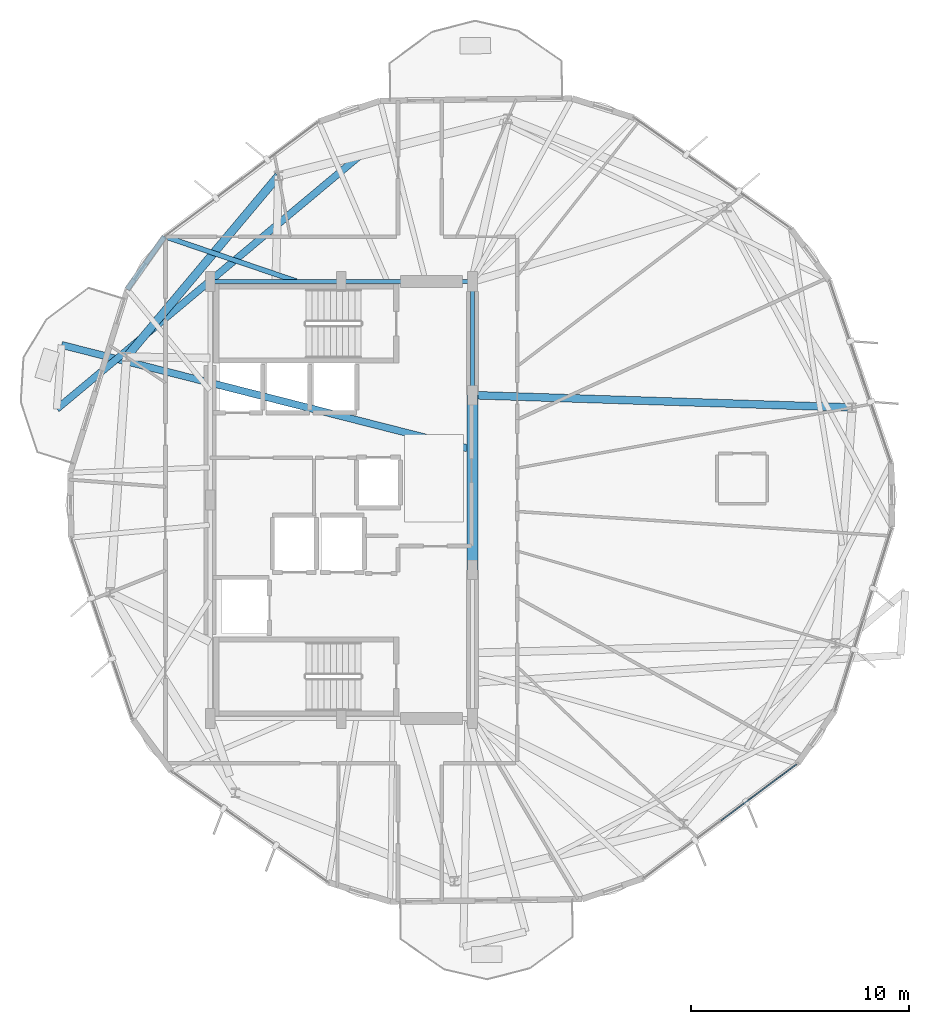
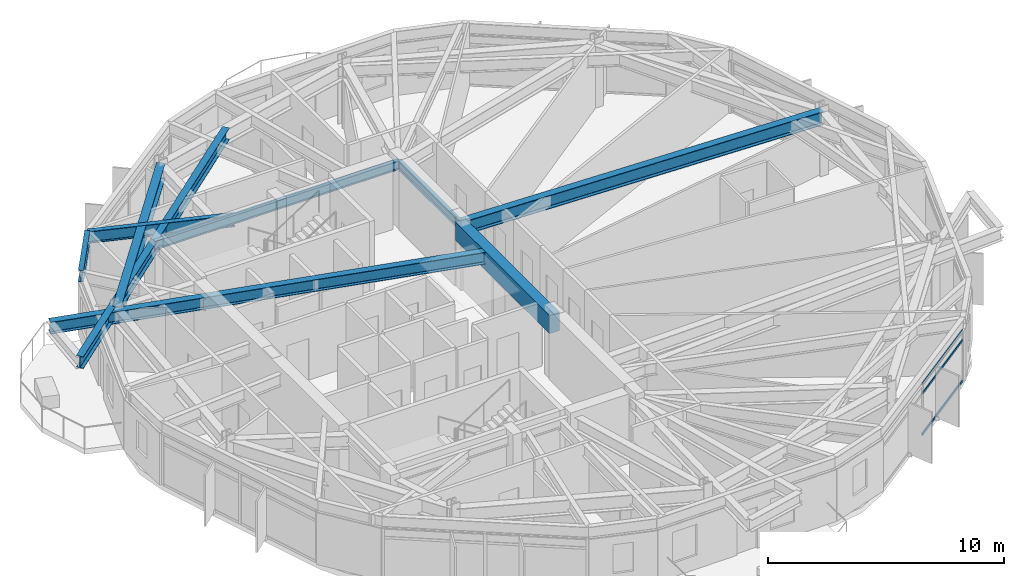
# One storey, part 8 of 27: 10 beams, 3 members, 1 element without a shape of its own.
"""IFC4 building model written with IfcOpenShell, lengths in metres."""

from ifc_helpers import new_model, si_unit, direction, frame, origin, origin_2d, place, context, subcontext, project, spatial, rectangle, hollow_rectangle, i_section, extrude, material, layer, layer_set, material_profile, profile_set, type_object, element, aggregate, save


model = new_model("IFC4")

# Units and contexts
model_context = context("Model", 3, precision=1e-05, world=origin(), true_north=direction((0.0, 1.0)))
body_context = subcontext(model_context, "Body", "Model", "MODEL_VIEW")
ifc_project = project(units=[si_unit("LENGTHUNIT", "METRE"), si_unit("AREAUNIT", "SQUARE_METRE"), si_unit("VOLUMEUNIT", "CUBIC_METRE"), si_unit("PLANEANGLEUNIT", "RADIAN"), si_unit("MASSUNIT", "GRAM", prefix="KILO")], contexts=[model_context])

# Site, building, storey
site_placement = place(None, origin())
site = spatial("IfcSite", under=ifc_project, at=site_placement, CompositionType="ELEMENT")
building_placement = place(site_placement, origin())
building = spatial("IfcBuilding", under=site, at=building_placement, Name="Soratama Intermodal Tower", CompositionType="ELEMENT")
storey_placement = place(building_placement, frame((0.0, 0.0, 167.800048828125)))
storey = spatial("IfcBuildingStorey", under=building, at=storey_placement, Name="L41", CompositionType="ELEMENT", Elevation=167.800048828125)

# Beams
ifc_material_1 = material(Name="Structural steel ASTM A992 Grade 50", Category="steel")
ifc_material_profile_1 = material_profile(ifc_material_1, i_section(OverallWidth=0.324951171875, OverallDepth=0.615966796875, WebThickness=0.013916015625, FlangeThickness=0.021484375, FilletRadius=0.013916015625, at=origin_2d()), Name="W24X117")
ifc_profile_set_1 = profile_set([ifc_material_profile_1], Name="Structural steel ASTM A992 Grade 50")
beam_type_1 = type_object("IfcBeamType", Name="BM-CANT-W24X117", PredefinedType="BEAM", material=ifc_profile_set_1)
beam_1_placement = place(storey_placement, frame((44.3720703125, 27.367919921875, 2.991943359375), z_axis=(-0.969068376563, 0.246792385508, 0.0), x_axis=(-0.246792385508, -0.969068376563, 0.0)))
element("IfcBeam", 1, at=beam_1_placement, inside=storey, type_object=beam_type_1, Name="BM-L41-CANT-2-1", PredefinedType="BEAM", context=body_context, shape_type="SweptSolid", body=[
    extrude(i_section(OverallWidth=0.324951171875, OverallDepth=0.615966796875, WebThickness=0.013916015625, FlangeThickness=0.021484375, FilletRadius=0.013916015625, at=origin_2d()), origin(), (0.0, 0.0, 1.0), 19.165771484375),
])
beam_2_placement = place(storey_placement, frame((39.43603515625, 40.748046875, 2.991943359375), z_axis=(-0.767256349917, -0.641340544104, 0.0), x_axis=(0.641340544104, -0.767256349917, 0.0)))
element("IfcBeam", 2, at=beam_2_placement, inside=storey, type_object=beam_type_1, Name="BM-L41-CANT-2-2", PredefinedType="BEAM", context=body_context, shape_type="SweptSolid", body=[
    extrude(i_section(OverallWidth=0.324951171875, OverallDepth=0.615966796875, WebThickness=0.013916015625, FlangeThickness=0.021484375, FilletRadius=0.013916015625, at=origin_2d()), origin(), (0.0, 0.0, 1.0), 18.05908203125),
])
ifc_material_2 = material(Name="Concrete f'c 56 MPa", Category="concrete")
ifc_material_profile_2 = material_profile(ifc_material_2, rectangle(XDim=0.5, YDim=0.949951171875, at=origin_2d()), Name="RC500X950")
ifc_profile_set_2 = profile_set([ifc_material_profile_2], Name="Concrete f'c 56 MPa")
beam_type_2 = type_object("IfcBeamType", Name="BM-CPL-RC500X950", PredefinedType="BEAM", material=ifc_profile_set_2)
beam_3_placement = place(storey_placement, frame((44.60009765625, 21.800048828125, 2.824951171875), z_axis=(0.0, 1.0, 0.0), x_axis=(-1.0, 0.0, 0.0)))
element("IfcBeam", 3, at=beam_3_placement, inside=storey, type_object=beam_type_2, Name="L41 Core Coupling Beam East", PredefinedType="BEAM", context=body_context, shape_type="SweptSolid", body=[
    extrude(rectangle(XDim=0.5, YDim=0.949951171875, at=origin_2d()), origin(), (0.0, 0.0, 1.0), 8.0),
])
ifc_material_3 = material(Name="Structural steel ASTM A992 Grade 50", Category="steel")
ifc_material_profile_3 = material_profile(ifc_material_3, i_section(OverallWidth=0.19091796875, OverallDepth=0.4599609375, WebThickness=0.010009765625, FlangeThickness=0.01611328125, FilletRadius=0.010986328125, at=origin_2d()), Name="W18X55")
ifc_profile_set_3 = profile_set([ifc_material_profile_3], Name="Structural steel ASTM A992 Grade 50")
beam_type_3 = type_object("IfcBeamType", Name="BM-FLR-W18X55", PredefinedType="BEAM", material=ifc_profile_set_3)
beam_4_placement = place(storey_placement, frame((44.60009765625, 29.800048828125, 3.070068359375), z_axis=(0.0, 1.0, 0.0), x_axis=(-1.0, 0.0, 0.0)))
element("IfcBeam", 4, at=beam_4_placement, inside=storey, type_object=beam_type_3, Name="BM-L41-CRING-05", PredefinedType="BEAM", context=body_context, shape_type="SweptSolid", body=[
    extrude(i_section(OverallWidth=0.19091796875, OverallDepth=0.4599609375, WebThickness=0.010009765625, FlangeThickness=0.01611328125, FilletRadius=0.010986328125, at=origin_2d()), origin(), (0.0, 0.0, 1.0), 5.199951171875),
])
for number, where, z_axis, x_axis, name in (
    (5, (44.60009765625, 35.0, 3.070068359375), (-1.0, 0.0, 0.0), (0.0, -1.0, 0.0), "BM-L41-CRING-06"),
    (6, (38.60009765625, 35.0, 3.070068359375), (-1.0, 0.0, 0.0), (0.0, -1.0, 0.0), "BM-L41-CRING-07"),
):
    element("IfcBeam", number, at=place(storey_placement, frame(where, z_axis=z_axis, x_axis=x_axis)), inside=storey, type_object=beam_type_3, Name=name, PredefinedType="BEAM", context=body_context, shape_type="SweptSolid", body=[
        extrude(i_section(OverallWidth=0.19091796875, OverallDepth=0.4599609375, WebThickness=0.010009765625, FlangeThickness=0.01611328125, FilletRadius=0.010986328125, at=origin_2d()), origin(), (0.0, 0.0, 1.0), 6.0),
    ])
ifc_material_4 = material(Name="Structural steel ASTM A992 Grade 50", Category="steel")
ifc_material_profile_4 = material_profile(ifc_material_4, i_section(OverallWidth=0.35498046875, OverallDepth=0.695068359375, WebThickness=0.015380859375, FlangeThickness=0.02490234375, FilletRadius=0.01611328125, at=origin_2d()), Name="W27X146")
ifc_profile_set_4 = profile_set([ifc_material_profile_4], Name="Structural steel ASTM A992 Grade 50")
beam_type_4 = type_object("IfcBeamType", Name="BM-RING-W27X146", PredefinedType="BEAM", material=ifc_profile_set_4)
beam_5_placement = place(storey_placement, frame((44.60009765625, 29.800048828125, 2.952392578125), z_axis=(0.999469833309, -0.032558444449, 0.0), x_axis=(0.032558444449, 0.999469833309, 0.0)))
element("IfcBeam", 7, at=beam_5_placement, inside=storey, type_object=beam_type_4, Name="BM-L41-RAD-01", PredefinedType="BEAM", context=body_context, shape_type="SweptSolid", body=[
    extrude(i_section(OverallWidth=0.35498046875, OverallDepth=0.695068359375, WebThickness=0.015380859375, FlangeThickness=0.02490234375, FilletRadius=0.01611328125, at=origin_2d()), origin(), (0.0, 0.0, 1.0), 17.38916015625),
])
ifc_material_5 = material(Name="Structural steel ASTM A992 Grade 50", Category="steel")
ifc_material_profile_5 = material_profile(ifc_material_5, i_section(OverallWidth=0.382080078125, OverallDepth=0.779052734375, WebThickness=0.01806640625, FlangeThickness=0.030029296875, FilletRadius=0.01806640625, at=origin_2d()), Name="W30X191")
ifc_profile_set_5 = profile_set([ifc_material_profile_5], Name="Structural steel ASTM A992 Grade 50")
beam_type_5 = type_object("IfcBeamType", Name="BM-RING-W30X191", PredefinedType="BEAM", material=ifc_profile_set_5)
beam_6_placement = place(storey_placement, frame((35.72607421875, 39.841064453125, 2.910400390625), z_axis=(-0.642791781199, -0.766040942785, 0.0), x_axis=(0.766040942785, -0.642791781199, 0.0)))
element("IfcBeam", 8, at=beam_6_placement, inside=storey, type_object=beam_type_5, Name="BM-L41-RING-04", PredefinedType="BEAM", context=body_context, shape_type="SweptSolid", body=[
    extrude(i_section(OverallWidth=0.382080078125, OverallDepth=0.779052734375, WebThickness=0.01806640625, FlangeThickness=0.030029296875, FilletRadius=0.01806640625, at=origin_2d()), origin(), (0.0, 0.0, 1.0), 10.815673828125),
])
ifc_material_6 = material(Name="Structural steel ASTM A992 Grade 50", Category="steel")
ifc_material_profile_6 = material_profile(ifc_material_6, i_section(OverallWidth=0.22900390625, OverallDepth=0.612060546875, WebThickness=0.011962890625, FlangeThickness=0.01953125, FilletRadius=0.012939453125, at=origin_2d()), Name="W24X84")
ifc_profile_set_6 = profile_set([ifc_material_profile_6], Name="Structural steel ASTM A992 Grade 50")
beam_type_6 = type_object("IfcBeamType", Name="BM-SPN-W24X84", PredefinedType="SPANDREL", material=ifc_profile_set_6)
beam_7_placement = place(storey_placement, frame((30.51708984375, 37.06396484375, 2.993896484375), z_axis=(-0.577487465028, -0.816399551528, 0.0), x_axis=(0.816399551528, -0.577487465028, 0.0)))
element("IfcBeam", 9, at=beam_7_placement, inside=storey, type_object=beam_type_6, Name="BS-L41-CRN03", PredefinedType="SPANDREL", context=body_context, shape_type="SweptSolid", body=[
    extrude(i_section(OverallWidth=0.22900390625, OverallDepth=0.612060546875, WebThickness=0.011962890625, FlangeThickness=0.01953125, FilletRadius=0.012939453125, at=origin_2d()), origin(), (0.0, 0.0, 1.0), 2.966552734375),
])
ifc_material_7 = material(Name="Structural steel ASTM A992 Grade 50", Category="steel")
ifc_material_profile_7 = material_profile(ifc_material_7, i_section(OverallWidth=0.22900390625, OverallDepth=0.612060546875, WebThickness=0.011962890625, FlangeThickness=0.01953125, FilletRadius=0.012939453125, at=origin_2d()), Name="W24X84")
ifc_profile_set_7 = profile_set([ifc_material_profile_7], Name="Structural steel ASTM A992 Grade 50")
beam_type_7 = type_object("IfcBeamType", Name="BM-TIE-W24X84", PredefinedType="BEAM", material=ifc_profile_set_7)
beam_8_placement = place(storey_placement, frame((36.5439453125, 35.012939453125, 2.993896484375), z_axis=(-0.946682011784, 0.322169471806, 0.0), x_axis=(-0.322169471806, -0.946682011784, 0.0)))
element("IfcBeam", 10, at=beam_8_placement, inside=storey, type_object=beam_type_7, Name="BM-L41-TIE1-03", PredefinedType="BEAM", context=body_context, shape_type="SweptSolid", body=[
    extrude(i_section(OverallWidth=0.22900390625, OverallDepth=0.612060546875, WebThickness=0.011962890625, FlangeThickness=0.01953125, FilletRadius=0.012939453125, at=origin_2d()), origin(), (0.0, 0.0, 1.0), 6.3662109375),
])

# Curtain wall, members
ifc_material_8 = material(Name="Double-glazed aluminium curtain wall", Category="aluminium")
ifc_layer = layer(ifc_material_8, 0.159912109375)
ifc_layer_set = layer_set([ifc_layer], Name="Double-glazed aluminium curtain wall")
curtain_wall_type = type_object("IfcCurtainWallType", Name="CW-SYS-4", PredefinedType="NOTDEFINED", material=ifc_layer_set)
curtain_wall_placement = place(storey_placement, origin())
curtain_wall = element("IfcCurtainWall", 11, at=curtain_wall_placement, inside=storey, type_object=curtain_wall_type, Name="L41 Faceted Curtain Wall F08", PredefinedType="NOTDEFINED")
ifc_material_9 = material(Name="Anodised aluminium AA 6063-T6", Category="aluminium")
ifc_material_profile_8 = material_profile(ifc_material_9, hollow_rectangle(XDim=0.06005859375, YDim=0.1298828125, WallThickness=0.0048828125, InnerFilletRadius=0.0048828125, OuterFilletRadius=0.010009765625, at=origin_2d()), Name="CWT130X60X5")
ifc_profile_set_8 = profile_set([ifc_material_profile_8], Name="Anodised aluminium AA 6063-T6")
member_type = type_object("IfcMemberType", Name="TT-CWT-2", PredefinedType="USERDEFINED", material=ifc_profile_set_8)
member_1_placement = place(storey_placement, frame((55.983154296875, 10.325927734375, 0.030029296875), z_axis=(0.801568981312, 0.597902306567, 0.0), x_axis=(-0.597902306567, 0.801568981312, 0.0)))
member_1 = element("IfcMember", 12, at=member_1_placement, type_object=member_type, Name="CW-4 transom 2.1", ObjectType="TRANSOM", PredefinedType="USERDEFINED", context=body_context, shape_type="SweptSolid", body=[
    extrude(hollow_rectangle(XDim=0.06005859375, YDim=0.1298828125, WallThickness=0.0048828125, InnerFilletRadius=0.0048828125, OuterFilletRadius=0.010009765625, at=origin_2d()), origin(), (0.0, 0.0, 1.0), 4.305908203125),
])
member_2_placement = place(storey_placement, frame((55.983154296875, 10.325927734375, 2.14990234375), z_axis=(0.801568981312, 0.597902306567, 0.0), x_axis=(-0.597902306567, 0.801568981312, 0.0)))
member_2 = element("IfcMember", 13, at=member_2_placement, type_object=member_type, Name="CW-4 transom 2.2", ObjectType="TRANSOM", PredefinedType="USERDEFINED", context=body_context, shape_type="SweptSolid", body=[
    extrude(hollow_rectangle(XDim=0.06005859375, YDim=0.1298828125, WallThickness=0.0048828125, InnerFilletRadius=0.0048828125, OuterFilletRadius=0.010009765625, at=origin_2d()), origin(), (0.0, 0.0, 1.0), 4.305908203125),
])
member_3_placement = place(storey_placement, frame((55.983154296875, 10.325927734375, 2.64892578125), z_axis=(0.801568981312, 0.597902306567, 0.0), x_axis=(-0.597902306567, 0.801568981312, 0.0)))
member_3 = element("IfcMember", 14, at=member_3_placement, type_object=member_type, Name="CW-4 transom 2.3", ObjectType="TRANSOM", PredefinedType="USERDEFINED", context=body_context, shape_type="SweptSolid", body=[
    extrude(hollow_rectangle(XDim=0.06005859375, YDim=0.1298828125, WallThickness=0.0048828125, InnerFilletRadius=0.0048828125, OuterFilletRadius=0.010009765625, at=origin_2d()), origin(), (0.0, 0.0, 1.0), 4.305908203125),
])
aggregate(curtain_wall, [member_1, member_2, member_3])

save(model, "model.ifc")
